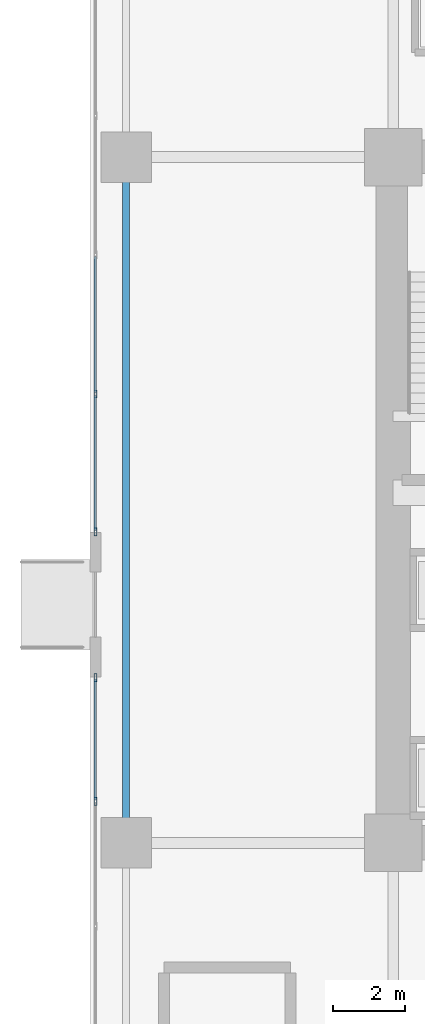
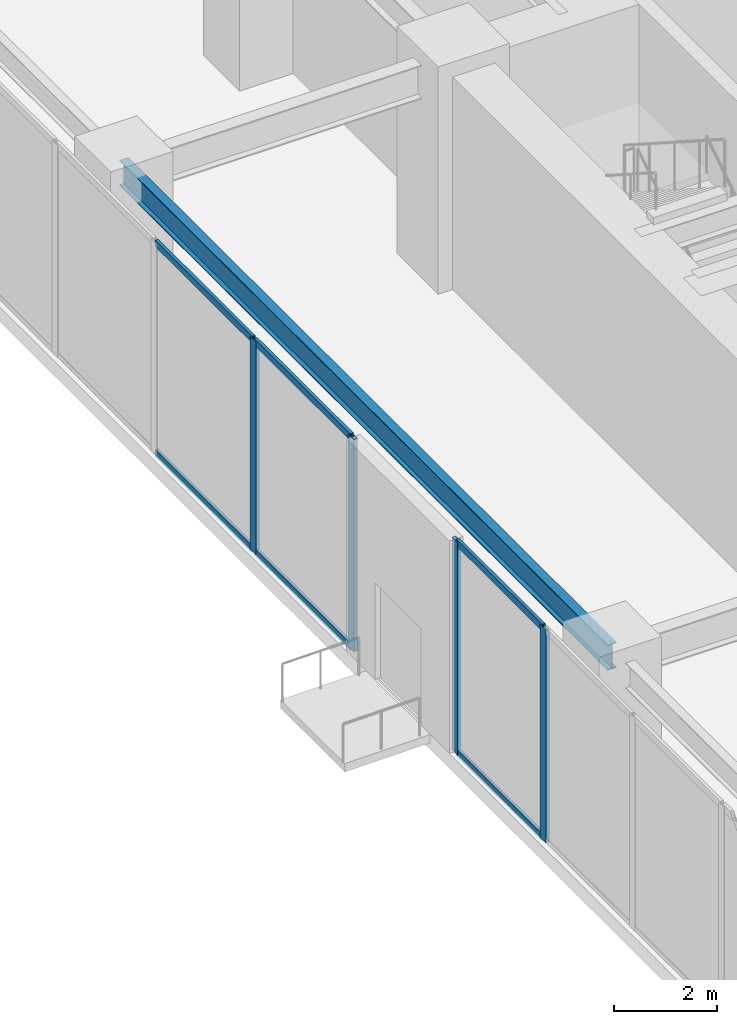
# One storey, part 5 of 28: 10 members, 1 beam, 2 elements without a shape of their own.
"""IFC4 building model written with IfcOpenShell, lengths in metres."""

from ifc_helpers import new_model, si_unit, direction, frame, origin, origin_2d, place, context, subcontext, project, spatial, hollow_rectangle, i_section, extrude, source, transform, mapped, material, layer, layer_set, material_profile, profile_set, type_object, type_shapes, element, aggregate, save


model = new_model("IFC4")

# Units and contexts
model_context = context("Model", 3, precision=1e-05, world=origin(), true_north=direction((0.0, 1.0)))
body_context = subcontext(model_context, "Body", "Model", "MODEL_VIEW")
ifc_project = project(units=[si_unit("LENGTHUNIT", "METRE"), si_unit("AREAUNIT", "SQUARE_METRE"), si_unit("VOLUMEUNIT", "CUBIC_METRE"), si_unit("PLANEANGLEUNIT", "RADIAN"), si_unit("MASSUNIT", "GRAM", prefix="KILO")], contexts=[model_context])

# Site, building, storey
site_placement = place(None, origin())
site = spatial("IfcSite", under=ifc_project, at=site_placement, CompositionType="ELEMENT")
building_placement = place(site_placement, origin())
building = spatial("IfcBuilding", under=site, at=building_placement, Name="Haelvirn Gate Laboratories", CompositionType="ELEMENT")
storey_placement = place(building_placement, origin())
storey = spatial("IfcBuildingStorey", under=building, at=storey_placement, Name="L01", CompositionType="ELEMENT", Elevation=0.0)

# Beam
ifc_material_1 = material(Name="Steel SM355", Category="steel")
ifc_material_profile_1 = material_profile(ifc_material_1, i_section(OverallWidth=0.199951171875, OverallDepth=0.60009765625, WebThickness=0.010986328125, FlangeThickness=0.01708984375, at=origin_2d()), Name="H-600x200x11x17")
ifc_profile_set_1 = profile_set([ifc_material_profile_1], Name="Steel SM355")
beam_type = type_object("IfcBeamType", Name="BM-SP-600", PredefinedType="SPANDREL", material=ifc_profile_set_1)
shared_shape_1 = source(origin(), body_context, "Body", "SweptSolid", [
    extrude(i_section(OverallWidth=0.199951171875, OverallDepth=0.60009765625, WebThickness=0.010986328125, FlangeThickness=0.01708984375, at=origin_2d()), origin(), (0.0, 0.0, 1.0), 19.0),
])
type_shapes(beam_type, [shared_shape_1])
beam_placement = place(storey_placement, frame((0.0, 14.800048828125, 4.75), z_axis=(0.0, 1.0, 0.0), x_axis=(-1.0, 0.0, 0.0)))
element("IfcBeam", 1, at=beam_placement, inside=storey, type_object=beam_type, Name="L01 Perimeter Spandrel X0.0 (14.8-33.8)", PredefinedType="SPANDREL", context=body_context, shape_type="MappedRepresentation", body=[
    mapped(shared_shape_1, transform((0.0, 0.0, 0.0), scale=1.0)),
])

# Curtain wall, members
ifc_material_2 = material(Name="Anodised bronze unitised aluminium & triple low-E glass", Category="aluminium")
ifc_layer = layer(ifc_material_2, 0.18798828125, Name="CW-SYS-1")
ifc_layer_set = layer_set([ifc_layer], Name="Anodised bronze unitised aluminium & triple low-E glass")
curtain_wall_type = type_object("IfcCurtainWallType", Name="CW-SYS-1", PredefinedType="NOTDEFINED", material=ifc_layer_set)
curtain_wall_1_placement = place(storey_placement, origin())
curtain_wall_1 = element("IfcCurtainWall", 2, at=curtain_wall_1_placement, inside=storey, type_object=curtain_wall_type, Name="L01 Unitised Curtain Wall CW-L01-WS", PredefinedType="NOTDEFINED")
ifc_material_3 = material(Name="Extruded aluminium 6063-T6 (anodised bronze)", Category="aluminium")
ifc_material_profile_2 = material_profile(ifc_material_3, hollow_rectangle(XDim=0.080078125, YDim=0.219970703125, WallThickness=0.006103515625, at=origin_2d()), Name="CWM-220x80x6")
ifc_profile_set_2 = profile_set([ifc_material_profile_2], Name="Extruded aluminium 6063-T6 (anodised bronze)")
member_type_1 = type_object("IfcMemberType", Name="CWM-T220", PredefinedType="MULLION", material=ifc_profile_set_2)
shared_shape_2 = source(origin(), body_context, "Body", "SweptSolid", [
    extrude(hollow_rectangle(XDim=0.080078125, YDim=0.219970703125, WallThickness=0.006103515625, at=origin_2d()), origin(), (0.0, 0.0, 1.0), 5.050048828125),
])
type_shapes(member_type_1, [shared_shape_2])
member_1_placement = place(storey_placement, frame((-0.85009765625, 15.951904296875, 0.0), z_axis=(0.0, 0.0, 1.0), x_axis=(-1.0, 0.0, 0.0)))
member_1 = element("IfcMember", 3, at=member_1_placement, type_object=member_type_1, Name="CW1 mullion 5", PredefinedType="MULLION", context=body_context, shape_type="MappedRepresentation", body=[
    mapped(shared_shape_2, transform((0.0, 0.0, 0.0), scale=1.0)),
])
member_2_placement = place(storey_placement, frame((-0.85009765625, 19.3798828125, 0.0), z_axis=(0.0, 0.0, 1.0), x_axis=(-1.0, 0.0, 0.0)))
member_2 = element("IfcMember", 4, at=member_2_placement, type_object=member_type_1, Name="CW1 mullion 6", PredefinedType="MULLION", context=body_context, shape_type="MappedRepresentation", body=[
    mapped(shared_shape_2, transform((0.0, 0.0, 0.0), scale=1.0)),
])

curtain_wall_2_placement = place(storey_placement, origin())
curtain_wall_2 = element("IfcCurtainWall", 5, at=curtain_wall_2_placement, inside=storey, type_object=curtain_wall_type, Name="L01 Unitised Curtain Wall CW-L01-WN", PredefinedType="NOTDEFINED")
member_3_placement = place(storey_placement, frame((-0.85009765625, 23.419921875, 0.0), z_axis=(0.0, 0.0, 1.0), x_axis=(-1.0, 0.0, 0.0)))
member_3 = element("IfcMember", 6, at=member_3_placement, type_object=member_type_1, Name="CW1 mullion 1", PredefinedType="MULLION", context=body_context, shape_type="MappedRepresentation", body=[
    mapped(shared_shape_2, transform((0.0, 0.0, 0.0), scale=1.0)),
])
member_4_placement = place(storey_placement, frame((-0.85009765625, 27.236572265625, 0.0), z_axis=(0.0, 0.0, 1.0), x_axis=(-1.0, 0.0, 0.0)))
member_4 = element("IfcMember", 7, at=member_4_placement, type_object=member_type_1, Name="CW1 mullion 2", PredefinedType="MULLION", context=body_context, shape_type="MappedRepresentation", body=[
    mapped(shared_shape_2, transform((0.0, 0.0, 0.0), scale=1.0)),
])

# Member
ifc_material_profile_3 = material_profile(ifc_material_3, hollow_rectangle(XDim=0.070068359375, YDim=0.159912109375, WallThickness=0.0048828125, at=origin_2d()), Name="CWT-160x70x5")
ifc_profile_set_3 = profile_set([ifc_material_profile_3], Name="Extruded aluminium 6063-T6 (anodised bronze)")
member_type_2 = type_object("IfcMemberType", Name="CWT-T160", PredefinedType="USERDEFINED", material=ifc_profile_set_3)
shared_shape_3 = source(origin(), body_context, "Body", "SweptSolid", [
    extrude(hollow_rectangle(XDim=0.070068359375, YDim=0.159912109375, WallThickness=0.0048828125, at=origin_2d()), origin(), (0.0, 0.0, 1.0), 3.34814453125),
])
member_5_placement = place(storey_placement, frame((-0.85009765625, 15.991943359375, 0.034912109375), z_axis=(0.0, 1.0, 0.0), x_axis=(-1.0, 0.0, 0.0)))
member_5 = element("IfcMember", 8, at=member_5_placement, type_object=member_type_2, Name="CW1 transom 5.1", ObjectType="TRANSOM", PredefinedType="USERDEFINED", context=body_context, shape_type="MappedRepresentation", body=[
    mapped(shared_shape_3, transform((0.0, 0.0, 0.0), scale=1.0)),
])

member_6_placement = place(storey_placement, frame((-0.85009765625, 15.991943359375, 5.014892578125), z_axis=(0.0, 1.0, 0.0), x_axis=(-1.0, 0.0, 0.0)))
member_6 = element("IfcMember", 9, at=member_6_placement, type_object=member_type_2, Name="CW1 transom 5.2", ObjectType="TRANSOM", PredefinedType="USERDEFINED", context=body_context, shape_type="MappedRepresentation", body=[
    mapped(shared_shape_3, transform((0.0, 0.0, 0.0), scale=1.0)),
])

aggregate(curtain_wall_1, [member_1, member_2, member_5, member_6])

shared_shape_4 = source(origin(), body_context, "Body", "SweptSolid", [
    extrude(hollow_rectangle(XDim=0.070068359375, YDim=0.159912109375, WallThickness=0.0048828125, at=origin_2d()), origin(), (0.0, 0.0, 1.0), 3.73681640625),
])
member_7_placement = place(storey_placement, frame((-0.85009765625, 23.4599609375, 0.034912109375), z_axis=(0.0, 1.0, 0.0), x_axis=(-1.0, 0.0, 0.0)))
member_7 = element("IfcMember", 10, at=member_7_placement, type_object=member_type_2, Name="CW1 transom 1.1", ObjectType="TRANSOM", PredefinedType="USERDEFINED", context=body_context, shape_type="MappedRepresentation", body=[
    mapped(shared_shape_4, transform((0.0, 0.0, 0.0), scale=1.0)),
])

member_8_placement = place(storey_placement, frame((-0.85009765625, 23.4599609375, 5.014892578125), z_axis=(0.0, 1.0, 0.0), x_axis=(-1.0, 0.0, 0.0)))
member_8 = element("IfcMember", 11, at=member_8_placement, type_object=member_type_2, Name="CW1 transom 1.2", ObjectType="TRANSOM", PredefinedType="USERDEFINED", context=body_context, shape_type="MappedRepresentation", body=[
    mapped(shared_shape_4, transform((0.0, 0.0, 0.0), scale=1.0)),
])

shared_shape_5 = source(origin(), body_context, "Body", "SweptSolid", [
    extrude(hollow_rectangle(XDim=0.070068359375, YDim=0.159912109375, WallThickness=0.0048828125, at=origin_2d()), origin(), (0.0, 0.0, 1.0), 3.776611328125),
])
type_shapes(member_type_2, [shared_shape_3, shared_shape_4, shared_shape_5])
member_9_placement = place(storey_placement, frame((-0.85009765625, 27.276611328125, 0.034912109375), z_axis=(0.0, 1.0, 0.0), x_axis=(-1.0, 0.0, 0.0)))
member_9 = element("IfcMember", 12, at=member_9_placement, type_object=member_type_2, Name="CW1 transom 2.1", ObjectType="TRANSOM", PredefinedType="USERDEFINED", context=body_context, shape_type="MappedRepresentation", body=[
    mapped(shared_shape_5, transform((0.0, 0.0, 0.0), scale=1.0)),
])

member_10_placement = place(storey_placement, frame((-0.85009765625, 27.276611328125, 5.014892578125), z_axis=(0.0, 1.0, 0.0), x_axis=(-1.0, 0.0, 0.0)))
member_10 = element("IfcMember", 13, at=member_10_placement, type_object=member_type_2, Name="CW1 transom 2.2", ObjectType="TRANSOM", PredefinedType="USERDEFINED", context=body_context, shape_type="MappedRepresentation", body=[
    mapped(shared_shape_5, transform((0.0, 0.0, 0.0), scale=1.0)),
])

aggregate(curtain_wall_2, [member_3, member_4, member_7, member_8, member_9, member_10])

save(model, "model.ifc")
